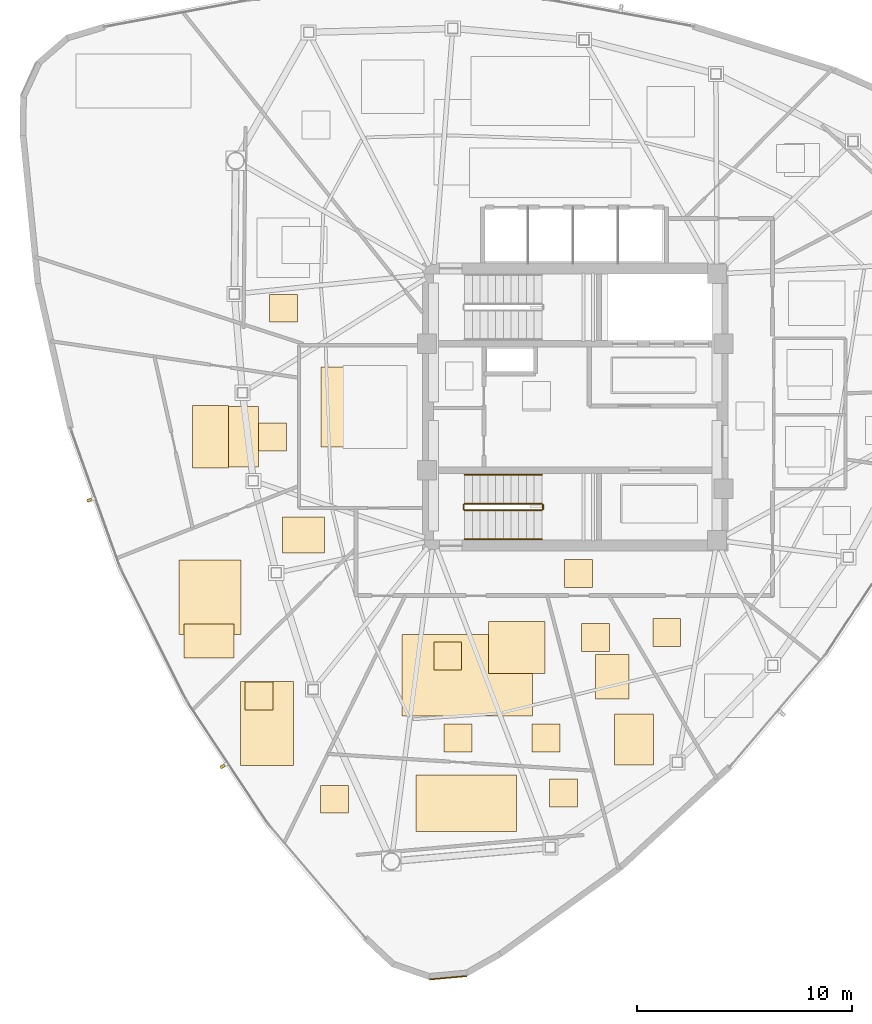
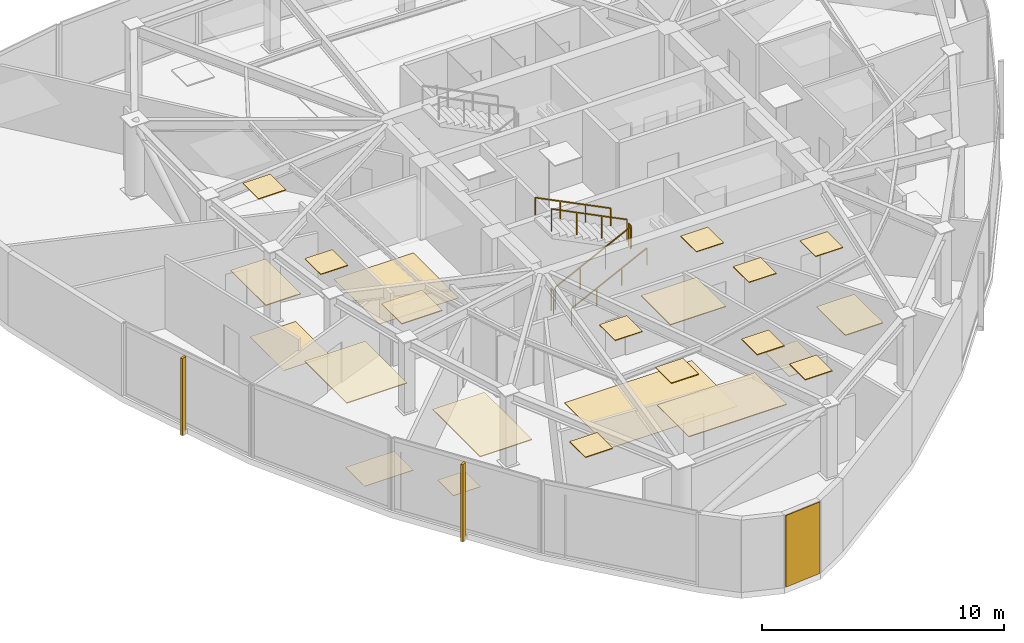
# One storey, part 11 of 13: 24 coverings, 6 railings, 2 shading devices.
"""IFC4 building model written with IfcOpenShell, lengths in metres."""

import ifcopenshell
import ifcopenshell.guid

model = None  # the IFC model being written
_history = None  # IfcOwnerHistory: only IFC2X3 demands one
_inside = {}  # id of a spatial element -> (the spatial element, [elements in it])
_under = {}  # id of a project, library or spatial element -> (it, [spatial elements below it])
_declared = {}  # id of a project -> (the project, [libraries it declares])
_typed = {}  # id of a type object -> (the type object, [elements of that type])
_made_of = {}  # id of a material, layer set ... -> (it, [elements and type objects made of it])


def new_model(schema):
    """Start an empty IFC model of exactly this schema.

    Asked for "IFC4X3", IfcOpenShell would pick the latest addendum, in which some entities
    have other attributes; the version numbers below select the first issue.
    IFC2X3 requires an IfcOwnerHistory on every rooted entity: one is made here for all.
    """
    global model, _history
    if schema == "IFC4X3":
        model = ifcopenshell.file(schema_version=(4, 3, 0, 0))
    else:
        model = ifcopenshell.file(schema=schema)
    _inside.clear()
    _under.clear()
    _declared.clear()
    _typed.clear()
    _made_of.clear()
    _history = None
    if model.schema == "IFC2X3":
        org = make("IfcOrganization", Name="unknown")
        user = make(
            "IfcPersonAndOrganization",
            ThePerson=make("IfcPerson", FamilyName="unknown"),
            TheOrganization=org,
        )
        app = make(
            "IfcApplication",
            ApplicationDeveloper=org,
            Version="unknown",
            ApplicationFullName="unknown",
            ApplicationIdentifier="unknown",
        )
        _history = make(
            "IfcOwnerHistory",
            OwningUser=user,
            OwningApplication=app,
            ChangeAction="ADDED",
            CreationDate=0,
        )
    return model


def make(cls, **values):
    """One entity of the class cls with the attributes given. An attribute that is None is left unset."""
    return model.create_entity(
        cls, **{name: value for name, value in values.items() if value is not None}
    )


def rooted(cls, **values):
    """An entity with a GlobalId (a new one), such as an element, a storey or a relation."""
    return make(cls, GlobalId=ifcopenshell.guid.new(), OwnerHistory=_history, **values)


def si_unit(unit_type, name, prefix=None):
    """IfcSIUnit, for example si_unit("LENGTHUNIT", "METRE", prefix="MILLI")."""
    return make("IfcSIUnit", UnitType=unit_type, Prefix=prefix, Name=name)


def assignment(units):
    """IfcUnitAssignment: the units of a project."""
    return None if units is None else make("IfcUnitAssignment", Units=units)


def point(xyz):
    """IfcCartesianPoint."""
    return None if xyz is None else make("IfcCartesianPoint", Coordinates=xyz)


def direction(xyz):
    """IfcDirection."""
    return None if xyz is None else make("IfcDirection", DirectionRatios=xyz)


def frame(location, z_axis=None, x_axis=None):
    """IfcAxis2Placement3D, a coordinate frame: its origin and axes. An axis left out is left unset."""
    return make(
        "IfcAxis2Placement3D",
        Location=point(location),
        Axis=direction(z_axis),
        RefDirection=direction(x_axis),
    )


def frame_2d(location, x_axis=None):
    """IfcAxis2Placement2D, a coordinate frame in the plane: its origin and x axis."""
    return make(
        "IfcAxis2Placement2D", Location=point(location), RefDirection=direction(x_axis)
    )


def origin():
    """The frame at (0, 0, 0) with its axes left unset."""
    return frame((0.0, 0.0, 0.0))


def origin_2d():
    """The frame at (0, 0) in the plane with its x axis left unset."""
    return frame_2d((0.0, 0.0))


def place(relative_to, where):
    """IfcLocalPlacement: puts the frame where relative to a parent placement (None: the world)."""
    return make(
        "IfcLocalPlacement", PlacementRelTo=relative_to, RelativePlacement=where
    )


def context(
    kind, dimensions, precision=None, world=None, true_north=None, identifier=None
):
    """IfcGeometricRepresentationContext, for example the 3D "Model" context."""
    return make(
        "IfcGeometricRepresentationContext",
        ContextIdentifier=identifier,
        ContextType=kind,
        CoordinateSpaceDimension=dimensions,
        Precision=precision,
        WorldCoordinateSystem=world,
        TrueNorth=true_north,
    )


def subcontext(parent, identifier, kind, view, scale=None):
    """IfcGeometricRepresentationSubContext, for example "Body" below "Model"."""
    return make(
        "IfcGeometricRepresentationSubContext",
        ContextIdentifier=identifier,
        ContextType=kind,
        ParentContext=parent,
        TargetScale=scale,
        TargetView=view,
    )


def project(units=None, contexts=None):
    """IfcProject with its units and contexts."""
    return rooted(
        "IfcProject",
        Name="project",
        RepresentationContexts=contexts,
        UnitsInContext=assignment(units),
    )


def spatial(cls, under=None, at=None, **own):
    """A site, building, storey or space (cls), placed at a placement, below another one or the project."""
    s = rooted(cls, ObjectPlacement=at, **own)
    if under is not None:
        _under.setdefault(under.id(), (under, []))[1].append(s)
    return s


def polyline(points):
    """IfcPolyline through the points."""
    return make("IfcPolyline", Points=[point(p) for p in points])


def profile(cls, at=None, kind="AREA", **sizes):
    """A parametric profile (cls). Its sizes go by their IFC names, for example OverallWidth=200.0."""
    return make(cls, ProfileType=kind, Position=at, **sizes)


def rectangle(**sizes):
    """IfcRectangleProfileDef."""
    return profile("IfcRectangleProfileDef", **sizes)


def outline(outer, holes=None, kind="AREA"):
    """IfcArbitraryClosedProfileDef: a profile drawn as a closed curve; with holes, ...WithVoids."""
    if holes is None:
        return make("IfcArbitraryClosedProfileDef", ProfileType=kind, OuterCurve=outer)
    return make(
        "IfcArbitraryProfileDefWithVoids",
        ProfileType=kind,
        OuterCurve=outer,
        InnerCurves=holes,
    )


def extrude(swept, where, along, depth):
    """IfcExtrudedAreaSolid: the profile swept, set in the frame where, extruded along a direction by depth."""
    return make(
        "IfcExtrudedAreaSolid",
        SweptArea=swept,
        Position=where,
        ExtrudedDirection=direction(along),
        Depth=depth,
    )


def shape(context_of_items, identifier, shape_type, items):
    """IfcShapeRepresentation: the items that make up one representation, for example the "Body"."""
    return make(
        "IfcShapeRepresentation",
        ContextOfItems=context_of_items,
        RepresentationIdentifier=identifier,
        RepresentationType=shape_type,
        Items=items,
    )


def source(mapping_origin, context_of_items, identifier, shape_type, items):
    """IfcRepresentationMap: a shape defined once, which mapped items show again and again."""
    return make(
        "IfcRepresentationMap",
        MappingOrigin=mapping_origin,
        MappedRepresentation=shape(context_of_items, identifier, shape_type, items),
    )


def transform(
    local_origin,
    x_axis=None,
    y_axis=None,
    z_axis=None,
    scale=None,
    scale2=None,
    scale3=None,
    uniform=True,
):
    """IfcCartesianTransformationOperator3D, or its non-uniform kind. x_axis, y_axis, z_axis: its Axis1, 2, 3."""
    if uniform:
        return make(
            "IfcCartesianTransformationOperator3D",
            Axis1=direction(x_axis),
            Axis2=direction(y_axis),
            LocalOrigin=point(local_origin),
            Scale=scale,
            Axis3=direction(z_axis),
        )
    return make(
        "IfcCartesianTransformationOperator3DnonUniform",
        Axis1=direction(x_axis),
        Axis2=direction(y_axis),
        LocalOrigin=point(local_origin),
        Scale=scale,
        Axis3=direction(z_axis),
        Scale2=scale2,
        Scale3=scale3,
    )


def mapped(mapping_source, mapping_target):
    """IfcMappedItem: shows the shape of a source again, moved by a transform."""
    return make(
        "IfcMappedItem", MappingSource=mapping_source, MappingTarget=mapping_target
    )


def material(Name=None, Category=None):
    """IfcMaterial."""
    return make("IfcMaterial", Name=Name, Category=Category)


def layer(
    of_material, thickness, ventilated=None, Name=None, Category=None, Priority=None
):
    """IfcMaterialLayer: one layer of a wall or slab, of a material (None: an air gap)."""
    return make(
        "IfcMaterialLayer",
        Material=of_material,
        LayerThickness=thickness,
        IsVentilated=ventilated,
        Name=Name,
        Category=Category,
        Priority=Priority,
    )


def layer_set(layers, Name=None):
    """IfcMaterialLayerSet."""
    return make("IfcMaterialLayerSet", MaterialLayers=layers, LayerSetName=Name)


def made_of(thing, what):
    """Note that an element or type object is made of a material, layer set ...; save() writes the relation."""
    if what is not None:
        _made_of.setdefault(what.id(), (what, []))[1].append(thing)
    return thing


def type_object(cls, material=None, **own):
    """A type object (cls), such as IfcWallType, which elements share."""
    return made_of(rooted(cls, **own), material)


def type_shapes(of_type, sources):
    """Give a type object the sources (RepresentationMaps) that its elements show as mapped items."""
    of_type.RepresentationMaps = sources


def element(
    cls,
    number,
    at=None,
    inside=None,
    cuts=None,
    type_object=None,
    material=None,
    context=None,
    identifier="Body",
    shape_type=None,
    held_by="IfcProductDefinitionShape",
    body=None,
    shapes=None,
    **own,
):
    """One element of the class cls, such as IfcWall. Its Tag is "e" and its number.

    at: its placement. inside: the storey or other place that contains it. cuts: it is an
    opening in that element (IfcRelVoidsElement). A single representation is given by context,
    identifier, shape_type and body (its items); several are given by shapes. held_by: the class
    of the entity that holds the representations. save() writes the other relations.
    """
    e = rooted(cls, Tag="e%d" % number, ObjectPlacement=at, **own)
    if body is not None:
        shapes = [shape(context, identifier, shape_type, body)]
    if shapes is not None:
        e.Representation = make(held_by, Representations=shapes)
    if inside is not None:
        _inside.setdefault(inside.id(), (inside, []))[1].append(e)
    if cuts is not None:
        rooted(
            "IfcRelVoidsElement", RelatingBuildingElement=cuts, RelatedOpeningElement=e
        )
    if type_object is not None:
        _typed.setdefault(type_object.id(), (type_object, []))[1].append(e)
    return made_of(e, material)


def aggregate(whole, parts):
    """IfcRelAggregates: a whole, such as a stair, and the parts it consists of."""
    return rooted("IfcRelAggregates", RelatingObject=whole, RelatedObjects=parts)


def save(model, path):
    """Write the relations noted so far, then the file.

    IfcRelAggregates (storeys below a building ...), IfcRelContainedInSpatialStructure (elements
    in a storey), IfcRelDefinesByType, IfcRelAssociatesMaterial and IfcRelDeclares: one each for
    every whole, place, type object, material and project.
    """
    for whole, parts in _under.values():
        aggregate(whole, parts)
    for where, things in _inside.values():
        rooted(
            "IfcRelContainedInSpatialStructure",
            RelatedElements=things,
            RelatingStructure=where,
        )
    for kind, things in _typed.values():
        rooted("IfcRelDefinesByType", RelatedObjects=things, RelatingType=kind)
    for what, things in _made_of.values():
        rooted("IfcRelAssociatesMaterial", RelatedObjects=things, RelatingMaterial=what)
    for by, libraries in _declared.values():
        rooted("IfcRelDeclares", RelatingContext=by, RelatedDefinitions=libraries)
    model.write(path)


model = new_model("IFC4")

# Units and contexts
model_context = context("Model", 3, precision=1e-05, world=origin(), true_north=direction((0.0, 1.0)))
body_context = subcontext(model_context, "Body", "Model", "MODEL_VIEW")
ifc_project = project(units=[si_unit("LENGTHUNIT", "METRE"), si_unit("AREAUNIT", "SQUARE_METRE"), si_unit("VOLUMEUNIT", "CUBIC_METRE"), si_unit("PLANEANGLEUNIT", "RADIAN"), si_unit("MASSUNIT", "GRAM", prefix="KILO")], contexts=[model_context])

# Site, building, storey
site_placement = place(None, origin())
site = spatial("IfcSite", under=ifc_project, at=site_placement, CompositionType="ELEMENT")
building_placement = place(site_placement, origin())
building = spatial("IfcBuilding", under=site, at=building_placement, Name="Tavelor Broadcast Tower", CompositionType="ELEMENT")
storey_placement = place(building_placement, frame((0.0, 0.0, 265.60009765625)))
storey = spatial("IfcBuildingStorey", under=building, at=storey_placement, Name="L63", CompositionType="ELEMENT", Elevation=265.60009765625)

# Covering
ifc_material_1 = material(Name="Copper-Bronze Anodized Aluminium", Category="aluminium")
ifc_layer_1 = layer(ifc_material_1, 0.050048828125)
ifc_layer_set_1 = layer_set([ifc_layer_1], Name="Copper-Bronze Anodized Aluminium")
covering_type_1 = type_object("IfcCoveringType", Name="Champagne-Bronze Corner Pier Metal Cladding 50 mm", PredefinedType="CLADDING", material=ifc_layer_set_1)
covering_1_placement = place(storey_placement, frame((44.08203125, 18.43603515625, 0.02001953125), z_axis=(0.0, 0.0, 1.0), x_axis=(0.995804927575, 0.091501618663, 0.0)))
element("IfcCovering", 1, at=covering_1_placement, inside=storey, type_object=covering_type_1, Name="L63 Champagne-Bronze Corner Cladding 13", PredefinedType="CLADDING", context=body_context, shape_type="SweptSolid", body=[
    extrude(rectangle(XDim=1.72119140625, YDim=0.050048828125, at=origin_2d()), origin(), (0.0, 0.0, 1.0), 3.610107421875),
])

# Railings
ifc_material_2 = material(Name="Steel S355", Category="steel")
railing_type_1 = type_object("IfcRailingType", Name="Continuous Brushed Stainless Handrail 900 mm", PredefinedType="HANDRAIL", material=ifc_material_2)
railing_1_placement = place(storey_placement, frame((44.85009765625, 38.85009765625, 0.179443359375)))
element("IfcRailing", 2, at=railing_1_placement, inside=storey, type_object=railing_type_1, Name="L63 ST2 stair handrail 1", PredefinedType="HANDRAIL", context=body_context, shape_type="SweptSolid", body=[
    extrude(rectangle(XDim=0.048095703125, YDim=0.048095703125, at=origin_2d()), frame((0.0, 0.0, 0.8759765625), z_axis=(0.894875846893, 0.0, 0.446315156192), x_axis=(0.0, 1.0, 0.0)), (0.0, 0.0, 1.0), 4.022705078125),
    extrude(rectangle(XDim=0.0419921875, YDim=0.0419921875, at=origin_2d()), origin(), (0.0, 0.0, 1.0), 0.851806640625),
    extrude(rectangle(XDim=0.0419921875, YDim=0.0419921875, at=origin_2d()), frame((1.199951171875, 0.0, 0.598388671875)), (0.0, 0.0, 1.0), 0.851806640625),
    extrude(rectangle(XDim=0.0419921875, YDim=0.0419921875, at=origin_2d()), frame((2.39990234375, 0.0, 1.197021484375)), (0.0, 0.0, 1.0), 0.851806640625),
    extrude(rectangle(XDim=0.0419921875, YDim=0.0419921875, at=origin_2d()), frame((3.599853515625, 0.0, 1.79541015625)), (0.0, 0.0, 1.0), 0.851806640625),
])
railing_2_placement = place(storey_placement, frame((48.449951171875, 41.85009765625, 2.154541015625)))
element("IfcRailing", 3, at=railing_2_placement, inside=storey, type_object=railing_type_1, Name="L63 ST2 stair handrail 2", PredefinedType="HANDRAIL", context=body_context, shape_type="SweptSolid", body=[
    extrude(rectangle(XDim=0.048095703125, YDim=0.048095703125, at=origin_2d()), frame((0.0, 0.0, 0.8759765625), z_axis=(-0.894875846893, 0.0, 0.446315156192), x_axis=(0.0, -1.0, 0.0)), (0.0, 0.0, 1.0), 4.022705078125),
    extrude(rectangle(XDim=0.0419921875, YDim=0.0419921875, at=origin_2d()), origin(), (0.0, 0.0, 1.0), 0.851806640625),
    extrude(rectangle(XDim=0.0419921875, YDim=0.0419921875, at=origin_2d()), frame((-1.199951171875, 0.0, 0.598388671875)), (0.0, 0.0, 1.0), 0.851806640625),
    extrude(rectangle(XDim=0.0419921875, YDim=0.0419921875, at=origin_2d()), frame((-2.39990234375, 0.0, 1.197021484375)), (0.0, 0.0, 1.0), 0.851806640625),
    extrude(rectangle(XDim=0.0419921875, YDim=0.0419921875, at=origin_2d()), frame((-3.599853515625, 0.0, 1.79541015625)), (0.0, 0.0, 1.0), 0.851806640625),
])

# Coverings
ifc_material_3 = material(Name="Architectural Anodized Aluminium", Category="aluminium")
ifc_layer_2 = layer(ifc_material_3, 0.034912109375)
ifc_layer_set_2 = layer_set([ifc_layer_2], Name="Architectural Anodized Aluminium")
covering_type_2 = type_object("IfcCoveringType", Name="Demountable Metal Tile Corridor Ceiling 35 mm", PredefinedType="CEILING", material=ifc_layer_set_2)
covering_2_placement = place(storey_placement, frame((0.0, 0.0, 3.614990234375)))
element("IfcCovering", 4, at=covering_2_placement, inside=storey, type_object=covering_type_2, Name="L63 Suspended Acoustic Ceiling 2448", PredefinedType="CEILING", context=body_context, shape_type="SweptSolid", body=[
    extrude(outline(polyline([(49.51025390625, 36.610107421875), (50.810302734375, 36.610107421875), (50.810302734375, 37.909912109375), (49.51025390625, 37.909912109375), (49.51025390625, 36.610107421875)])), origin(), (0.0, 0.0, 1.0), 0.034912109375),
])
ifc_material_4 = material(Name="Acoustic Nylon Carpet Tile")
ifc_layer_3 = layer(ifc_material_4, 0.02001953125)
ifc_layer_set_3 = layer_set([ifc_layer_3], Name="Acoustic Nylon Carpet Tile")
covering_type_3 = type_object("IfcCoveringType", Name="Heavy-Duty Acoustic Broadcast Carpet Tile 20 mm", PredefinedType="FLOORING", material=ifc_layer_set_3)
covering_3_placement = place(storey_placement, origin())
element("IfcCovering", 5, at=covering_3_placement, inside=storey, type_object=covering_type_3, Name="L63 Broadcast Floor Finish 0933", PredefinedType="FLOORING", context=body_context, shape_type="SweptSolid", body=[
    extrude(outline(polyline([(38.15771484375, 43.12890625), (41.942138671875, 43.12890625), (41.942138671875, 46.87060546875), (38.15771484375, 46.87060546875), (38.15771484375, 43.12890625)])), origin(), (0.0, 0.0, 1.0), 0.02001953125),
])
covering_4_placement = place(storey_placement, origin())
element("IfcCovering", 6, at=covering_4_placement, inside=storey, type_object=covering_type_3, Name="L63 Broadcast Floor Finish 0939", PredefinedType="FLOORING", context=body_context, shape_type="SweptSolid", body=[
    extrude(outline(polyline([(50.9326171875, 31.408447265625), (52.499267578125, 31.408447265625), (52.499267578125, 33.478271484375), (50.9326171875, 33.478271484375), (50.9326171875, 31.408447265625)])), origin(), (0.0, 0.0, 1.0), 0.02001953125),
])
covering_5_placement = place(storey_placement, origin())
element("IfcCovering", 7, at=covering_5_placement, inside=storey, type_object=covering_type_3, Name="L63 Broadcast Floor Finish 0940", PredefinedType="FLOORING", context=body_context, shape_type="SweptSolid", body=[
    extrude(outline(polyline([(34.6328125, 30.903564453125), (35.9326171875, 30.903564453125), (35.9326171875, 32.20361328125), (34.6328125, 32.20361328125), (34.6328125, 30.903564453125)])), origin(), (0.0, 0.0, 1.0), 0.02001953125),
])
covering_6_placement = place(storey_placement, origin())
element("IfcCovering", 8, at=covering_6_placement, inside=storey, type_object=covering_type_3, Name="L63 Broadcast Floor Finish 0941", PredefinedType="FLOORING", context=body_context, shape_type="SweptSolid", body=[
    extrude(outline(polyline([(31.7998046875, 33.32080078125), (34.123046875, 33.32080078125), (34.123046875, 34.903564453125), (31.7998046875, 34.903564453125), (31.7998046875, 33.32080078125)])), origin(), (0.0, 0.0, 1.0), 0.02001953125),
])
covering_7_placement = place(storey_placement, origin())
element("IfcCovering", 9, at=covering_7_placement, inside=storey, type_object=covering_type_3, Name="L63 Broadcast Floor Finish 0946", PredefinedType="FLOORING", context=body_context, shape_type="SweptSolid", body=[
    extrude(outline(polyline([(41.94384765625, 30.627197265625), (48.015380859375, 30.627197265625), (48.015380859375, 34.40771484375), (41.94384765625, 34.40771484375), (41.94384765625, 30.627197265625)])), origin(), (0.0, 0.0, 1.0), 0.02001953125),
])
covering_8_placement = place(storey_placement, origin())
element("IfcCovering", 10, at=covering_8_placement, inside=storey, type_object=covering_type_3, Name="L63 Broadcast Floor Finish 0947", PredefinedType="FLOORING", context=body_context, shape_type="SweptSolid", body=[
    extrude(outline(polyline([(33.081298828125, 42.202880859375), (35.26806640625, 42.202880859375), (35.26806640625, 45.025390625), (33.081298828125, 45.025390625), (33.081298828125, 42.202880859375)])), origin(), (0.0, 0.0, 1.0), 0.02001953125),
])

# Railings
railing_type_2 = type_object("IfcRailingType", Name="Stairwell Steel Safety Guardrail 1150 mm", PredefinedType="GUARDRAIL", material=ifc_material_2)
railing_3_placement = place(storey_placement, frame((44.85009765625, 40.199951171875, 0.179443359375)))
element("IfcRailing", 11, at=railing_3_placement, inside=storey, type_object=railing_type_2, Name="L63 ST2 stair guard 1", PredefinedType="GUARDRAIL", context=body_context, shape_type="SweptSolid", body=[
    extrude(rectangle(XDim=0.048095703125, YDim=0.048095703125, at=origin_2d()), frame((0.0, 0.0, 1.1259765625), z_axis=(0.894875846893, 0.0, 0.446315156192), x_axis=(0.0, 1.0, 0.0)), (0.0, 0.0, 1.0), 4.022705078125),
    extrude(rectangle(XDim=0.0419921875, YDim=0.0419921875, at=origin_2d()), origin(), (0.0, 0.0, 1.0), 1.101806640625),
    extrude(rectangle(XDim=0.0419921875, YDim=0.0419921875, at=origin_2d()), frame((1.199951171875, 0.0, 0.598388671875)), (0.0, 0.0, 1.0), 1.101806640625),
    extrude(rectangle(XDim=0.0419921875, YDim=0.0419921875, at=origin_2d()), frame((2.39990234375, 0.0, 1.197021484375)), (0.0, 0.0, 1.0), 1.101806640625),
    extrude(rectangle(XDim=0.0419921875, YDim=0.0419921875, at=origin_2d()), frame((3.599853515625, 0.0, 1.79541015625)), (0.0, 0.0, 1.0), 1.101806640625),
])
railing_4_placement = place(storey_placement, frame((48.5, 40.25, 1.974853515625)))
element("IfcRailing", 12, at=railing_4_placement, inside=storey, type_object=railing_type_2, Name="L63 ST2 stair guard 2", PredefinedType="GUARDRAIL", context=body_context, shape_type="SweptSolid", body=[
    extrude(rectangle(XDim=0.048095703125, YDim=0.048095703125, at=origin_2d()), frame((0.0, 0.0, 1.1259765625), z_axis=(0.0, 1.0, 0.0), x_axis=(-1.0, 0.0, 0.0)), (0.0, 0.0, 1.0), 0.199951171875),
    extrude(rectangle(XDim=0.0419921875, YDim=0.0419921875, at=origin_2d()), origin(), (0.0, 0.0, 1.0), 1.101806640625),
    extrude(rectangle(XDim=0.0419921875, YDim=0.0419921875, at=origin_2d()), frame((0.0, 0.199951171875, 0.0)), (0.0, 0.0, 1.0), 1.101806640625),
])
railing_5_placement = place(storey_placement, frame((48.449951171875, 40.5, 2.154541015625)))
element("IfcRailing", 13, at=railing_5_placement, inside=storey, type_object=railing_type_2, Name="L63 ST2 stair guard 3", PredefinedType="GUARDRAIL", context=body_context, shape_type="SweptSolid", body=[
    extrude(rectangle(XDim=0.048095703125, YDim=0.048095703125, at=origin_2d()), frame((0.0, 0.0, 1.1259765625), z_axis=(-0.894875846893, 0.0, 0.446315156192), x_axis=(0.0, -1.0, 0.0)), (0.0, 0.0, 1.0), 4.022705078125),
    extrude(rectangle(XDim=0.0419921875, YDim=0.0419921875, at=origin_2d()), origin(), (0.0, 0.0, 1.0), 1.101806640625),
    extrude(rectangle(XDim=0.0419921875, YDim=0.0419921875, at=origin_2d()), frame((-1.199951171875, 0.0, 0.598388671875)), (0.0, 0.0, 1.0), 1.101806640625),
    extrude(rectangle(XDim=0.0419921875, YDim=0.0419921875, at=origin_2d()), frame((-2.39990234375, 0.0, 1.197021484375)), (0.0, 0.0, 1.0), 1.101806640625),
    extrude(rectangle(XDim=0.0419921875, YDim=0.0419921875, at=origin_2d()), frame((-3.599853515625, 0.0, 1.79541015625)), (0.0, 0.0, 1.0), 1.101806640625),
])
railing_6_placement = place(storey_placement, frame((44.800048828125, 40.25, 0.0)))
element("IfcRailing", 14, at=railing_6_placement, inside=storey, type_object=railing_type_2, Name="L63 ST2 stair guard 4", PredefinedType="GUARDRAIL", context=body_context, shape_type="SweptSolid", body=[
    extrude(rectangle(XDim=0.048095703125, YDim=0.048095703125, at=origin_2d()), frame((0.0, 0.0, 1.1259765625), z_axis=(0.0, 1.0, 0.0), x_axis=(-1.0, 0.0, 0.0)), (0.0, 0.0, 1.0), 0.199951171875),
    extrude(rectangle(XDim=0.0419921875, YDim=0.0419921875, at=origin_2d()), origin(), (0.0, 0.0, 1.0), 1.101806640625),
    extrude(rectangle(XDim=0.0419921875, YDim=0.0419921875, at=origin_2d()), frame((0.0, 0.199951171875, 0.0)), (0.0, 0.0, 1.0), 1.101806640625),
])

# Coverings
ifc_material_5 = material(Name="Acoustic Mineral Fibre Tile")
ifc_layer_4 = layer(ifc_material_5, 0.0400390625)
ifc_layer_set_4 = layer_set([ifc_layer_4], Name="Acoustic Mineral Fibre Tile")
covering_type_4 = type_object("IfcCoveringType", Name="Suspended Acoustic Mineral-Fibre Office Ceiling 40 mm", PredefinedType="CEILING", material=ifc_layer_set_4)
covering_9_placement = place(storey_placement, frame((0.0, 0.0, 3.60986328125)))
element("IfcCovering", 15, at=covering_9_placement, inside=storey, type_object=covering_type_4, Name="L63 Suspended Acoustic Ceiling 2453", PredefinedType="CEILING", context=body_context, shape_type="SweptSolid", body=[
    extrude(outline(polyline([(53.609375, 33.861083984375), (54.9091796875, 33.861083984375), (54.9091796875, 35.1611328125), (53.609375, 35.1611328125), (53.609375, 33.861083984375)])), origin(), (0.0, 0.0, 1.0), 0.0400390625),
])
covering_10_placement = place(storey_placement, frame((0.0, 0.0, 3.60986328125)))
element("IfcCovering", 16, at=covering_10_placement, inside=storey, type_object=covering_type_4, Name="L63 Suspended Acoustic Ceiling 2454", PredefinedType="CEILING", context=body_context, shape_type="SweptSolid", body=[
    extrude(outline(polyline([(50.293701171875, 33.622802734375), (51.593505859375, 33.622802734375), (51.593505859375, 34.922607421875), (50.293701171875, 34.922607421875), (50.293701171875, 33.622802734375)])), origin(), (0.0, 0.0, 1.0), 0.0400390625),
])
covering_11_placement = place(storey_placement, frame((0.0, 0.0, 3.60986328125)))
element("IfcCovering", 17, at=covering_11_placement, inside=storey, type_object=covering_type_4, Name="L63 Suspended Acoustic Ceiling 2455", PredefinedType="CEILING", context=body_context, shape_type="SweptSolid", body=[
    extrude(outline(polyline([(51.825927734375, 28.334716796875), (53.635009765625, 28.334716796875), (53.635009765625, 30.705810546875), (51.825927734375, 30.705810546875), (51.825927734375, 28.334716796875)])), origin(), (0.0, 0.0, 1.0), 0.0400390625),
])
covering_12_placement = place(storey_placement, frame((0.0, 0.0, 3.60986328125)))
element("IfcCovering", 18, at=covering_12_placement, inside=storey, type_object=covering_type_4, Name="L63 Suspended Acoustic Ceiling 2456", PredefinedType="CEILING", context=body_context, shape_type="SweptSolid", body=[
    extrude(outline(polyline([(38.150146484375, 26.09619140625), (39.4501953125, 26.09619140625), (39.4501953125, 27.39599609375), (38.150146484375, 27.39599609375), (38.150146484375, 26.09619140625)])), origin(), (0.0, 0.0, 1.0), 0.0400390625),
])
covering_13_placement = place(storey_placement, frame((0.0, 0.0, 3.60986328125)))
element("IfcCovering", 19, at=covering_13_placement, inside=storey, type_object=covering_type_4, Name="L63 Suspended Acoustic Ceiling 2457", PredefinedType="CEILING", context=body_context, shape_type="SweptSolid", body=[
    extrude(outline(polyline([(42.5927734375, 25.2421875), (47.25439453125, 25.2421875), (47.25439453125, 27.87109375), (42.5927734375, 27.87109375), (42.5927734375, 25.2421875)])), origin(), (0.0, 0.0, 1.0), 0.0400390625),
])
covering_14_placement = place(storey_placement, frame((0.0, 0.0, 3.60986328125)))
element("IfcCovering", 20, at=covering_14_placement, inside=storey, type_object=covering_type_4, Name="L63 Suspended Acoustic Ceiling 2458", PredefinedType="CEILING", context=body_context, shape_type="SweptSolid", body=[
    extrude(outline(polyline([(48.79833984375, 26.39208984375), (50.098388671875, 26.39208984375), (50.098388671875, 27.69189453125), (48.79833984375, 27.69189453125), (48.79833984375, 26.39208984375)])), origin(), (0.0, 0.0, 1.0), 0.0400390625),
])
covering_15_placement = place(storey_placement, frame((0.0, 0.0, 3.60986328125)))
element("IfcCovering", 21, at=covering_15_placement, inside=storey, type_object=covering_type_4, Name="L63 Suspended Acoustic Ceiling 2459", PredefinedType="CEILING", context=body_context, shape_type="SweptSolid", body=[
    extrude(outline(polyline([(34.412353515625, 28.30810546875), (36.881591796875, 28.30810546875), (36.881591796875, 32.232666015625), (34.412353515625, 32.232666015625), (34.412353515625, 28.30810546875)])), origin(), (0.0, 0.0, 1.0), 0.0400390625),
])
covering_16_placement = place(storey_placement, frame((0.0, 0.0, 3.60986328125)))
element("IfcCovering", 22, at=covering_16_placement, inside=storey, type_object=covering_type_4, Name="L63 Suspended Acoustic Ceiling 2460", PredefinedType="CEILING", context=body_context, shape_type="SweptSolid", body=[
    extrude(outline(polyline([(31.569091796875, 34.40625), (34.451171875, 34.40625), (34.451171875, 37.875244140625), (31.569091796875, 37.875244140625), (31.569091796875, 34.40625)])), origin(), (0.0, 0.0, 1.0), 0.0400390625),
])
covering_17_placement = place(storey_placement, frame((0.0, 0.0, 3.60986328125)))
element("IfcCovering", 23, at=covering_17_placement, inside=storey, type_object=covering_type_4, Name="L63 Suspended Acoustic Ceiling 2461", PredefinedType="CEILING", context=body_context, shape_type="SweptSolid", body=[
    extrude(outline(polyline([(36.384033203125, 38.205810546875), (38.322509765625, 38.205810546875), (38.322509765625, 39.888427734375), (36.384033203125, 39.888427734375), (36.384033203125, 38.205810546875)])), origin(), (0.0, 0.0, 1.0), 0.0400390625),
])
covering_18_placement = place(storey_placement, frame((0.0, 0.0, 3.60986328125)))
element("IfcCovering", 24, at=covering_18_placement, inside=storey, type_object=covering_type_4, Name="L63 Suspended Acoustic Ceiling 2463", PredefinedType="CEILING", context=body_context, shape_type="SweptSolid", body=[
    extrude(outline(polyline([(35.76611328125, 48.947265625), (37.066162109375, 48.947265625), (37.066162109375, 50.247314453125), (35.76611328125, 50.247314453125), (35.76611328125, 48.947265625)])), origin(), (0.0, 0.0, 1.0), 0.0400390625),
])
covering_19_placement = place(storey_placement, frame((0.0, 0.0, 3.60986328125)))
element("IfcCovering", 25, at=covering_19_placement, inside=storey, type_object=covering_type_4, Name="L63 Suspended Acoustic Ceiling 2473", PredefinedType="CEILING", context=body_context, shape_type="SweptSolid", body=[
    extrude(outline(polyline([(43.417236328125, 32.764404296875), (44.71728515625, 32.764404296875), (44.71728515625, 34.064208984375), (43.417236328125, 34.064208984375), (43.417236328125, 32.764404296875)])), origin(), (0.0, 0.0, 1.0), 0.0400390625),
])
covering_20_placement = place(storey_placement, frame((0.0, 0.0, 3.60986328125)))
element("IfcCovering", 26, at=covering_20_placement, inside=storey, type_object=covering_type_4, Name="L63 Suspended Acoustic Ceiling 2474", PredefinedType="CEILING", context=body_context, shape_type="SweptSolid", body=[
    extrude(outline(polyline([(45.95263671875, 32.59814453125), (48.600341796875, 32.59814453125), (48.600341796875, 35.02099609375), (45.95263671875, 35.02099609375), (45.95263671875, 32.59814453125)])), origin(), (0.0, 0.0, 1.0), 0.0400390625),
])
covering_21_placement = place(storey_placement, frame((0.0, 0.0, 3.60986328125)))
element("IfcCovering", 27, at=covering_21_placement, inside=storey, type_object=covering_type_4, Name="L63 Suspended Acoustic Ceiling 2475", PredefinedType="CEILING", context=body_context, shape_type="SweptSolid", body=[
    extrude(outline(polyline([(47.97998046875, 28.94189453125), (49.280029296875, 28.94189453125), (49.280029296875, 30.241943359375), (47.97998046875, 30.241943359375), (47.97998046875, 28.94189453125)])), origin(), (0.0, 0.0, 1.0), 0.0400390625),
])
covering_22_placement = place(storey_placement, frame((0.0, 0.0, 3.60986328125)))
element("IfcCovering", 28, at=covering_22_placement, inside=storey, type_object=covering_type_4, Name="L63 Suspended Acoustic Ceiling 2476", PredefinedType="CEILING", context=body_context, shape_type="SweptSolid", body=[
    extrude(outline(polyline([(43.893798828125, 28.947021484375), (45.19384765625, 28.947021484375), (45.19384765625, 30.2470703125), (43.893798828125, 30.2470703125), (43.893798828125, 28.947021484375)])), origin(), (0.0, 0.0, 1.0), 0.0400390625),
])
covering_23_placement = place(storey_placement, frame((0.0, 0.0, 3.60986328125)))
element("IfcCovering", 29, at=covering_23_placement, inside=storey, type_object=covering_type_4, Name="L63 Suspended Acoustic Ceiling 2477", PredefinedType="CEILING", context=body_context, shape_type="SweptSolid", body=[
    extrude(outline(polyline([(32.1875, 42.16259765625), (33.8564453125, 42.16259765625), (33.8564453125, 45.06591796875), (32.1875, 45.06591796875), (32.1875, 42.16259765625)])), origin(), (0.0, 0.0, 1.0), 0.0400390625),
])
covering_24_placement = place(storey_placement, frame((0.0, 0.0, 3.60986328125)))
element("IfcCovering", 30, at=covering_24_placement, inside=storey, type_object=covering_type_4, Name="L63 Suspended Acoustic Ceiling 2478", PredefinedType="CEILING", context=body_context, shape_type="SweptSolid", body=[
    extrude(outline(polyline([(35.267822265625, 42.964111328125), (36.56787109375, 42.964111328125), (36.56787109375, 44.26416015625), (35.267822265625, 44.26416015625), (35.267822265625, 42.964111328125)])), origin(), (0.0, 0.0, 1.0), 0.0400390625),
])

# Shading devices
ifc_material_6 = material(Name="Kiln-Fired Glazed Terracotta", Category="masonry")
shading_device_type = type_object("IfcShadingDeviceType", Name="Extruded Terracotta Baguette Sun-Screen 110x240", PredefinedType="JALOUSIE", material=ifc_material_6)
shared_shape = source(origin(), body_context, "Body", "SweptSolid", [
    extrude(rectangle(XDim=0.110107421875, YDim=0.239990234375, at=origin_2d()), origin(), (0.0, 0.0, 1.0), 3.889892578125),
])
type_shapes(shading_device_type, [shared_shape])
for number, where, z_axis, x_axis, name in (
    (31, (27.384033203125, 40.660888671875, -0.26025390625), (0.0, 0.0, 1.0), (0.335780389393, -0.941940300709, 0.0), "L63 Terracotta Baguette Fin 649"),
    (32, (33.58154296875, 28.27197265625, -0.26025390625), (0.0, 0.0, 1.0), (0.552373531229, -0.833596714243, 0.0), "L63 Terracotta Baguette Fin 650"),
):
    element("IfcShadingDevice", number, at=place(storey_placement, frame(where, z_axis=z_axis, x_axis=x_axis)), inside=storey, type_object=shading_device_type, Name=name, PredefinedType="JALOUSIE", context=body_context, shape_type="MappedRepresentation", body=[
        mapped(shared_shape, transform((0.0, 0.0, 0.0), scale=1.0)),
    ])

save(model, "model.ifc")
